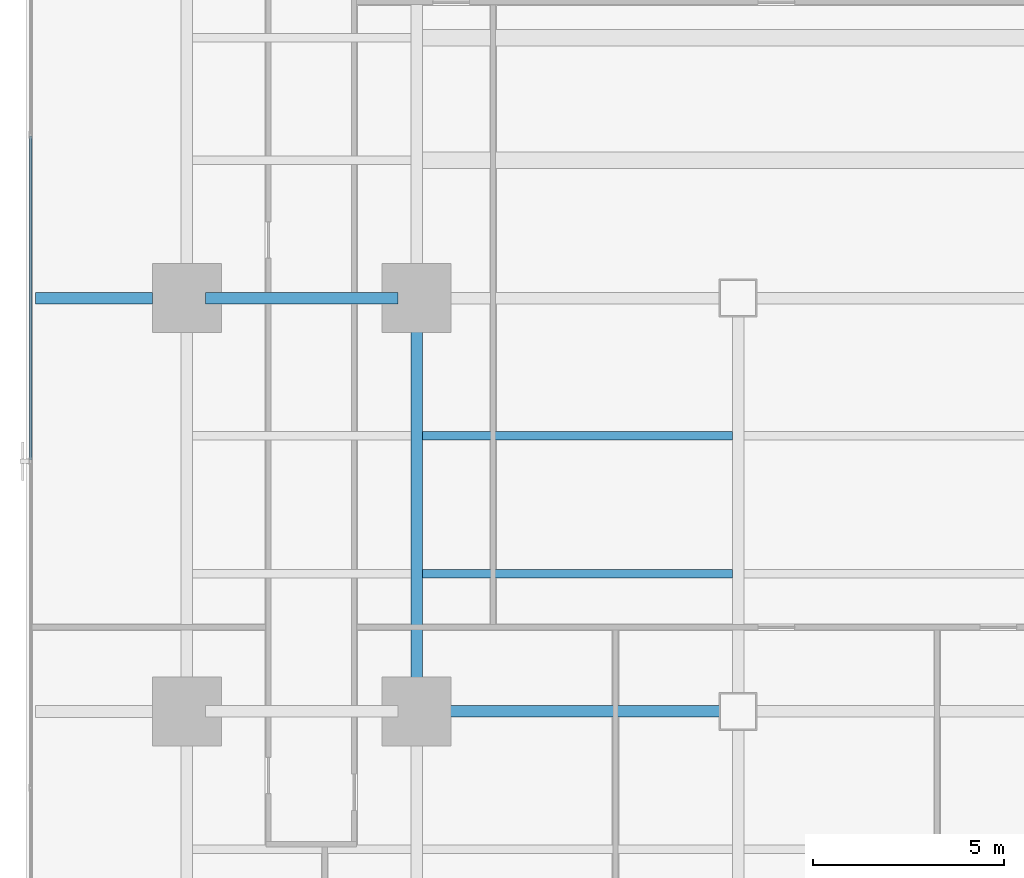
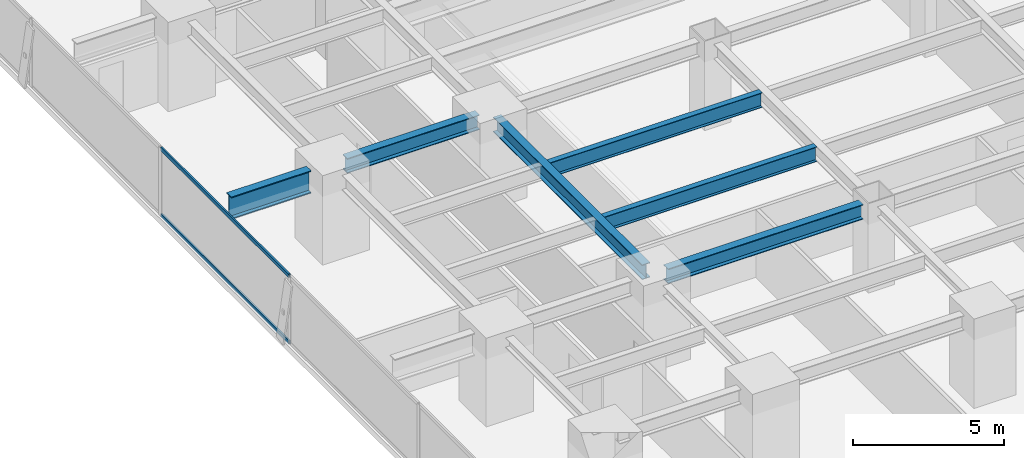
# One storey, part 8 of 33: 6 beams, 2 members, 1 element without a shape of its own.
"""IFC4 building model written with IfcOpenShell, lengths in metres."""

from ifc_helpers import new_model, si_unit, direction, frame, origin, origin_2d, place, context, subcontext, project, spatial, hollow_rectangle, i_section, extrude, source, transform, mapped, material, layer, layer_set, material_profile, profile_set, type_object, element, aggregate, save


model = new_model("IFC4")

# Units and contexts
model_context = context("Model", 3, precision=1e-05, world=origin(), true_north=direction((0.0, 1.0)))
body_context = subcontext(model_context, "Body", "Model", "MODEL_VIEW")
ifc_project = project(units=[si_unit("LENGTHUNIT", "METRE"), si_unit("AREAUNIT", "SQUARE_METRE"), si_unit("VOLUMEUNIT", "CUBIC_METRE"), si_unit("PLANEANGLEUNIT", "RADIAN"), si_unit("MASSUNIT", "GRAM", prefix="KILO")], contexts=[model_context])

# Site, building, storey
site_placement = place(None, origin())
site = spatial("IfcSite", under=ifc_project, at=site_placement, CompositionType="ELEMENT")
building_placement = place(site_placement, origin())
building = spatial("IfcBuilding", under=site, at=building_placement, Name="Sumidabori Civic Tower", CompositionType="ELEMENT")
storey_placement = place(building_placement, frame((0.0, 0.0, 38.0)))
storey = spatial("IfcBuildingStorey", under=building, at=storey_placement, Name="L09", CompositionType="ELEMENT", Elevation=38.0)

# Beams
ifc_material_1 = material(Name="Steel SN490", Category="steel")
ifc_material_profile_1 = material_profile(ifc_material_1, i_section(OverallWidth=0.300048828125, OverallDepth=0.60009765625, WebThickness=0.015380859375, FlangeThickness=0.030029296875, at=origin_2d()), Name="HE 600 B")
ifc_profile_set_1 = profile_set([ifc_material_profile_1], Name="Steel SN490")
beam_type_1 = type_object("IfcBeamType", Name="BM-GIRD-600", PredefinedType="BEAM", material=ifc_profile_set_1)
shared_shape_1 = source(origin(), body_context, "Body", "SweptSolid", [
    extrude(i_section(OverallWidth=0.300048828125, OverallDepth=0.60009765625, WebThickness=0.015380859375, FlangeThickness=0.030029296875, at=origin_2d()), origin(), (0.0, 0.0, 1.0), 5.0400390625),
])
beam_1_placement = place(storey_placement, frame((-22.320068359375, 0.0, 3.06005859375), z_axis=(1.0, 0.0, 0.0), x_axis=(0.0, 1.0, 0.0)))
element("IfcBeam", 1, at=beam_1_placement, inside=storey, type_object=beam_type_1, Name="Primary Girder L09 GX-13", PredefinedType="BEAM", context=body_context, shape_type="MappedRepresentation", body=[
    mapped(shared_shape_1, transform((0.0, 0.0, 0.0), x_axis=(1.0, 0.0, 0.0), y_axis=(0.0, 1.0, 0.0), z_axis=(0.0, 0.0, 1.0), scale=1.0)),
])
shared_shape_2 = source(origin(), body_context, "Body", "SweptSolid", [
    extrude(i_section(OverallWidth=0.300048828125, OverallDepth=0.60009765625, WebThickness=0.015380859375, FlangeThickness=0.030029296875, at=origin_2d()), origin(), (0.0, 0.0, 1.0), 7.440185546875),
])
beam_2_placement = place(storey_placement, frame((-16.320068359375, -10.800048828125, 3.06005859375), z_axis=(1.0, 0.0, 0.0), x_axis=(0.0, 1.0, 0.0)))
element("IfcBeam", 2, at=beam_2_placement, inside=storey, type_object=beam_type_1, Name="Primary Girder L09 GX-08", PredefinedType="BEAM", context=body_context, shape_type="MappedRepresentation", body=[
    mapped(shared_shape_2, transform((0.0, 0.0, 0.0), x_axis=(1.0, 0.0, 0.0), y_axis=(0.0, 1.0, 0.0), z_axis=(0.0, 0.0, 1.0), scale=1.0)),
])
shared_shape_3 = source(origin(), body_context, "Body", "SweptSolid", [
    extrude(i_section(OverallWidth=0.300048828125, OverallDepth=0.60009765625, WebThickness=0.015380859375, FlangeThickness=0.030029296875, at=origin_2d()), origin(), (0.0, 0.0, 1.0), 9.840087890625),
])
beam_3_placement = place(storey_placement, frame((-16.800048828125, -10.320068359375, 3.06005859375), z_axis=(0.0, 1.0, 0.0), x_axis=(-1.0, 0.0, 0.0)))
element("IfcBeam", 3, at=beam_3_placement, inside=storey, type_object=beam_type_1, Name="Primary Girder L09 GY-26", PredefinedType="BEAM", context=body_context, shape_type="MappedRepresentation", body=[
    mapped(shared_shape_3, transform((0.0, 0.0, 0.0), x_axis=(1.0, 0.0, 0.0), y_axis=(0.0, 1.0, 0.0), z_axis=(0.0, 0.0, 1.0), scale=1.0)),
])
ifc_material_profile_2 = material_profile(ifc_material_1, i_section(OverallWidth=0.302001953125, OverallDepth=0.909912109375, WebThickness=0.02099609375, FlangeThickness=0.0400390625, at=origin_2d()), Name="HE 900 M")
ifc_profile_set_2 = profile_set([ifc_material_profile_2], Name="Steel SN490")
beam_type_2 = type_object("IfcBeamType", Name="BM-Z1-EDGE", PredefinedType="SPANDREL", material=ifc_profile_set_2)
shared_shape_4 = source(origin(), body_context, "Body", "SweptSolid", [
    extrude(i_section(OverallWidth=0.302001953125, OverallDepth=0.909912109375, WebThickness=0.02099609375, FlangeThickness=0.0400390625, at=origin_2d()), origin(), (0.0, 0.0, 1.0), 3.050048828125),
])
beam_4_placement = place(storey_placement, frame((-26.75, 0.0, 2.905029296875), z_axis=(1.0, 0.0, 0.0), x_axis=(0.0, 1.0, 0.0)))
element("IfcBeam", 4, at=beam_4_placement, inside=storey, type_object=beam_type_2, Name="Perimeter Overhang Beam L09 W-46", PredefinedType="SPANDREL", context=body_context, shape_type="MappedRepresentation", body=[
    mapped(shared_shape_4, transform((0.0, 0.0, 0.0), x_axis=(1.0, 0.0, 0.0), y_axis=(0.0, 1.0, 0.0), z_axis=(0.0, 0.0, 1.0), scale=1.0)),
])
ifc_material_profile_3 = material_profile(ifc_material_1, i_section(OverallWidth=0.219970703125, OverallDepth=0.60009765625, WebThickness=0.011962890625, FlangeThickness=0.01904296875, at=origin_2d()), Name="IPE 600")
ifc_profile_set_3 = profile_set([ifc_material_profile_3], Name="Steel SN490")
beam_type_3 = type_object("IfcBeamType", Name="BM-JST-600", PredefinedType="JOIST", material=ifc_profile_set_3)
shared_shape_5 = source(origin(), body_context, "Body", "SweptSolid", [
    extrude(i_section(OverallWidth=0.219970703125, OverallDepth=0.60009765625, WebThickness=0.011962890625, FlangeThickness=0.01904296875, at=origin_2d()), origin(), (0.0, 0.0, 1.0), 8.099853515625),
])
for number, where, z_axis, x_axis, name in (
    (5, (-16.64990234375, -7.199951171875, 3.06005859375), (1.0, 0.0, 0.0), (0.0, 1.0, 0.0), "South Bay Floor Joist L09 JSTS-65"),
    (6, (-16.64990234375, -3.60009765625, 3.06005859375), (1.0, 0.0, 0.0), (0.0, 1.0, 0.0), "South Bay Floor Joist L09 JSTS-69"),
):
    element("IfcBeam", number, at=place(storey_placement, frame(where, z_axis=z_axis, x_axis=x_axis)), inside=storey, type_object=beam_type_3, Name=name, PredefinedType="JOIST", context=body_context, shape_type="MappedRepresentation", body=[
        mapped(shared_shape_5, transform((0.0, 0.0, 0.0), x_axis=(1.0, 0.0, 0.0), y_axis=(0.0, 1.0, 0.0), z_axis=(0.0, 0.0, 1.0), scale=1.0)),
    ])

# Curtain wall, members
ifc_material_2 = material(Name="Anodised Bronze Aluminium AW-6063-T6", Category="aluminium")
ifc_layer = layer(ifc_material_2, 0.179931640625, Name="Anodised Bronze Aluminium AW-6063-T6")
ifc_layer_set = layer_set([ifc_layer], Name="Anodised Bronze Aluminium AW-6063-T6")
curtain_wall_type = type_object("IfcCurtainWallType", Name="CW-SYS-2", PredefinedType="NOTDEFINED", material=ifc_layer_set)
curtain_wall_placement = place(storey_placement, origin())
curtain_wall = element("IfcCurtainWall", 7, at=curtain_wall_placement, inside=storey, type_object=curtain_wall_type, Name="Curtain Wall CW:L09:R10", PredefinedType="NOTDEFINED")
ifc_material_profile_4 = material_profile(ifc_material_2, hollow_rectangle(XDim=0.06494140625, YDim=0.14990234375, WallThickness=0.0048828125, at=origin_2d()), Name="ALU TRANSOM 150x65")
ifc_profile_set_4 = profile_set([ifc_material_profile_4], Name="Anodised Bronze Aluminium AW-6063-T6")
member_type = type_object("IfcMemberType", Name="CW-TRN-150", PredefinedType="USERDEFINED", material=ifc_profile_set_4)
shared_shape_6 = source(origin(), body_context, "Body", "SweptSolid", [
    extrude(hollow_rectangle(XDim=0.06494140625, YDim=0.14990234375, WallThickness=0.0048828125, at=origin_2d()), origin(), (0.0, 0.0, 1.0), 8.4580078125),
])
member_1_placement = place(storey_placement, frame((-26.8798828125, 4.22900390625, 0.032470703125), z_axis=(0.0, -1.0, 0.0), x_axis=(1.0, 0.0, 0.0)))
member_1 = element("IfcMember", 8, at=member_1_placement, type_object=member_type, Name="CW-2 transom 3.1", ObjectType="TRANSOM", PredefinedType="USERDEFINED", context=body_context, shape_type="MappedRepresentation", body=[
    mapped(shared_shape_6, transform((0.0, 0.0, 0.0), x_axis=(1.0, 0.0, 0.0), y_axis=(0.0, 1.0, 0.0), z_axis=(0.0, 0.0, 1.0), scale=1.0)),
])
member_2_placement = place(storey_placement, frame((-26.8798828125, 4.22900390625, 2.70751953125), z_axis=(0.0, -1.0, 0.0), x_axis=(1.0, 0.0, 0.0)))
member_2 = element("IfcMember", 9, at=member_2_placement, type_object=member_type, Name="CW-2 transom 3.2", ObjectType="TRANSOM", PredefinedType="USERDEFINED", context=body_context, shape_type="MappedRepresentation", body=[
    mapped(shared_shape_6, transform((0.0, 0.0, 0.0), x_axis=(1.0, 0.0, 0.0), y_axis=(0.0, 1.0, 0.0), z_axis=(0.0, 0.0, 1.0), scale=1.0)),
])
aggregate(curtain_wall, [member_1, member_2])

save(model, "model.ifc")
